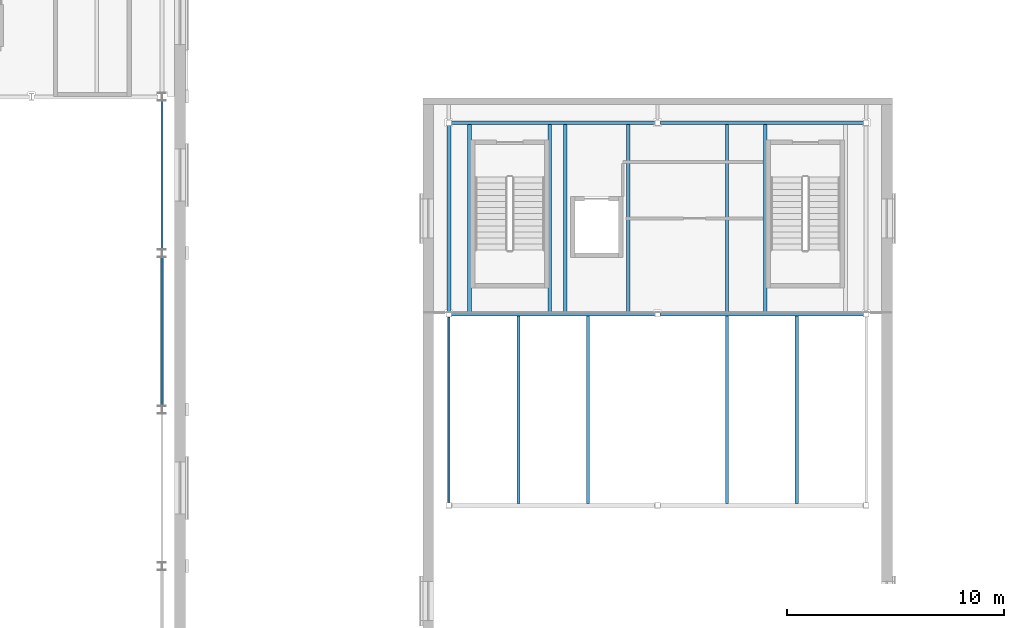
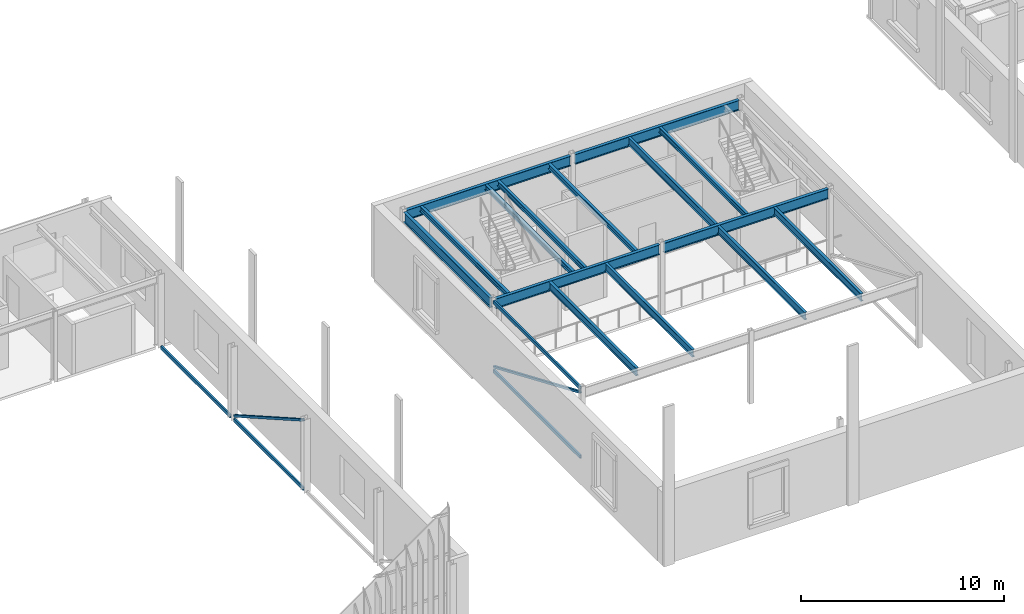
# One storey, part 48 of 169: 19 beams, 2 members.
"""IFC4 building model written with IfcOpenShell, lengths in metres."""

from ifc_helpers import new_model, si_unit, direction, frame, origin, origin_2d, place, context, subcontext, project, spatial, hollow_rectangle, i_section, extrude, material, material_profile, profile_set, type_object, element, save


model = new_model("IFC4")

# Units and contexts
model_context = context("Model", 3, precision=1e-05, world=origin(), true_north=direction((0.0, 1.0)))
body_context = subcontext(model_context, "Body", "Model", "MODEL_VIEW")
ifc_project = project(units=[si_unit("LENGTHUNIT", "METRE"), si_unit("AREAUNIT", "SQUARE_METRE"), si_unit("VOLUMEUNIT", "CUBIC_METRE"), si_unit("PLANEANGLEUNIT", "RADIAN"), si_unit("MASSUNIT", "GRAM", prefix="KILO")], contexts=[model_context])

# Site, building, storey
site_placement = place(None, origin())
site = spatial("IfcSite", under=ifc_project, at=site_placement, CompositionType="ELEMENT")
building_placement = place(site_placement, origin())
building = spatial("IfcBuilding", under=site, at=building_placement, Name="Verrick Yard Athletic Hall", CompositionType="ELEMENT")
storey_placement = place(building_placement, frame((0.0, 0.0, 4.39990234375)))
storey = spatial("IfcBuildingStorey", under=building, at=storey_placement, Name="L01", CompositionType="ELEMENT", Elevation=4.39990234375)

# Beams
ifc_material_1 = material(Name="Structural steel HSS Class C 350W (CSA G40.20/G40.21)", Category="steel")
ifc_material_profile_1 = material_profile(ifc_material_1, hollow_rectangle(XDim=0.1015625, YDim=0.203125, WallThickness=0.009521484375, at=origin_2d()), Name="HSS203x102x9.5")
ifc_profile_set_1 = profile_set([ifc_material_profile_1], Name="Structural steel HSS Class C 350W (CSA G40.20/G40.21)")
beam_type_1 = type_object("IfcBeamType", Name="HB eaves girt HSS203x102x9.5", PredefinedType="BEAM", material=ifc_profile_set_1)
beam_1_placement = place(storey_placement, frame((76.0, 86.577880859375, 0.0), z_axis=(0.0, 1.0, 0.0), x_axis=(-1.0, 0.0, 0.0)))
element("IfcBeam", 1, at=beam_1_placement, inside=storey, type_object=beam_type_1, Name="HB-GT-BE-3-L01", PredefinedType="BEAM", context=body_context, shape_type="SweptSolid", body=[
    extrude(hollow_rectangle(XDim=0.1015625, YDim=0.203125, WallThickness=0.009521484375, at=origin_2d()), origin(), (0.0, 0.0, 1.0), 6.84423828125),
])
beam_2_placement = place(storey_placement, frame((76.0, 93.778076171875, 0.0), z_axis=(0.0, 1.0, 0.0), x_axis=(-1.0, 0.0, 0.0)))
element("IfcBeam", 2, at=beam_2_placement, inside=storey, type_object=beam_type_1, Name="HB-GT-BE-4-L01", PredefinedType="BEAM", context=body_context, shape_type="SweptSolid", body=[
    extrude(hollow_rectangle(XDim=0.1015625, YDim=0.203125, WallThickness=0.009521484375, at=origin_2d()), origin(), (0.0, 0.0, 1.0), 6.843994140625),
])
for number, where, z_axis, x_axis, name in (
    (3, (89.199951171875, 82.126953125, 0.0), (0.0, 1.0, 0.0), (-1.0, 0.0, 0.0), "HB-GT-CW-L01"),
    (4, (89.199951171875, 82.126953125, 4.147216796875), (0.0, 1.0, 0.0), (-1.0, 0.0, 0.0), "HB-GT-CW-L02"),
):
    element("IfcBeam", number, at=place(storey_placement, frame(where, z_axis=z_axis, x_axis=x_axis)), inside=storey, type_object=beam_type_1, Name=name, PredefinedType="BEAM", context=body_context, shape_type="SweptSolid", body=[
        extrude(hollow_rectangle(XDim=0.1015625, YDim=0.203125, WallThickness=0.009521484375, at=origin_2d()), origin(), (0.0, 0.0, 1.0), 8.546142578125),
    ])
ifc_material_2 = material(Name="Structural steel 350W (CSA G40.21)", Category="steel")
ifc_material_profile_2 = material_profile(ifc_material_2, i_section(OverallWidth=0.178955078125, OverallDepth=0.60302734375, WebThickness=0.010986328125, FlangeThickness=0.014892578125, at=origin_2d()), Name="W610x92")
ifc_profile_set_2 = profile_set([ifc_material_profile_2], Name="Structural steel 350W (CSA G40.21)")
beam_type_2 = type_object("IfcBeamType", Name="HB girder W610x92", PredefinedType="BEAM", material=ifc_profile_set_2)
beam_3_placement = place(storey_placement, frame((89.326904296875, 90.800048828125, 3.948486328125), z_axis=(1.0, 0.0, 0.0), x_axis=(0.0, 1.0, 0.0)))
element("IfcBeam", 5, at=beam_3_placement, inside=storey, type_object=beam_type_2, Name="HB-GB-C-L02-S1", PredefinedType="BEAM", context=body_context, shape_type="SweptSolid", body=[
    extrude(i_section(OverallWidth=0.178955078125, OverallDepth=0.60302734375, WebThickness=0.010986328125, FlangeThickness=0.014892578125, at=origin_2d()), origin(), (0.0, 0.0, 1.0), 9.34619140625),
])
beam_4_placement = place(storey_placement, frame((98.927001953125, 90.800048828125, 3.948486328125), z_axis=(1.0, 0.0, 0.0), x_axis=(0.0, 1.0, 0.0)))
element("IfcBeam", 6, at=beam_4_placement, inside=storey, type_object=beam_type_2, Name="HB-GB-C-L02-S2", PredefinedType="BEAM", context=body_context, shape_type="SweptSolid", body=[
    extrude(i_section(OverallWidth=0.178955078125, OverallDepth=0.60302734375, WebThickness=0.010986328125, FlangeThickness=0.014892578125, at=origin_2d()), origin(), (0.0, 0.0, 1.0), 9.345947265625),
])
beam_5_placement = place(storey_placement, frame((89.326904296875, 99.60009765625, 3.948486328125), z_axis=(1.0, 0.0, 0.0), x_axis=(0.0, 1.0, 0.0)))
element("IfcBeam", 7, at=beam_5_placement, inside=storey, type_object=beam_type_2, Name="HB-GB-C-L02-N1", PredefinedType="BEAM", context=body_context, shape_type="SweptSolid", body=[
    extrude(i_section(OverallWidth=0.178955078125, OverallDepth=0.60302734375, WebThickness=0.010986328125, FlangeThickness=0.014892578125, at=origin_2d()), origin(), (0.0, 0.0, 1.0), 9.34619140625),
])
beam_6_placement = place(storey_placement, frame((98.927001953125, 99.60009765625, 3.948486328125), z_axis=(1.0, 0.0, 0.0), x_axis=(0.0, 1.0, 0.0)))
element("IfcBeam", 8, at=beam_6_placement, inside=storey, type_object=beam_type_2, Name="HB-GB-C-L02-N2", PredefinedType="BEAM", context=body_context, shape_type="SweptSolid", body=[
    extrude(i_section(OverallWidth=0.178955078125, OverallDepth=0.60302734375, WebThickness=0.010986328125, FlangeThickness=0.014892578125, at=origin_2d()), origin(), (0.0, 0.0, 1.0), 9.345947265625),
])
beam_7_placement = place(storey_placement, frame((89.199951171875, 90.927001953125, 3.948486328125), z_axis=(0.0, 1.0, 0.0), x_axis=(-1.0, 0.0, 0.0)))
element("IfcBeam", 9, at=beam_7_placement, inside=storey, type_object=beam_type_2, Name="HB-EB-C-L02-W2", PredefinedType="BEAM", context=body_context, shape_type="SweptSolid", body=[
    extrude(i_section(OverallWidth=0.178955078125, OverallDepth=0.60302734375, WebThickness=0.010986328125, FlangeThickness=0.014892578125, at=origin_2d()), origin(), (0.0, 0.0, 1.0), 8.5458984375),
])
ifc_material_profile_3 = material_profile(ifc_material_2, i_section(OverallWidth=0.153076171875, OverallDepth=0.455078125, WebThickness=0.008056640625, FlangeThickness=0.01318359375, at=origin_2d()), Name="W460x60")
ifc_profile_set_3 = profile_set([ifc_material_profile_3], Name="Structural steel 350W (CSA G40.21)")
beam_type_3 = type_object("IfcBeamType", Name="HB secondary beam W460x60", PredefinedType="JOIST", material=ifc_profile_set_3)
for number, where, z_axis, x_axis, name in (
    (10, (92.39990234375, 82.089599609375, 4.022705078125), (0.0, 1.0, 0.0), (-1.0, 0.0, 0.0), "HB-SB-C-L02-1"),
    (11, (95.60009765625, 82.089599609375, 4.022705078125), (0.0, 1.0, 0.0), (-1.0, 0.0, 0.0), "HB-SB-C-L02-2"),
    (12, (102.0, 82.089599609375, 4.022705078125), (0.0, 1.0, 0.0), (-1.0, 0.0, 0.0), "HB-SB-C-L02-3"),
    (13, (105.199951171875, 82.089599609375, 4.022705078125), (0.0, 1.0, 0.0), (-1.0, 0.0, 0.0), "HB-SB-C-L02-4"),
):
    element("IfcBeam", number, at=place(storey_placement, frame(where, z_axis=z_axis, x_axis=x_axis)), inside=storey, type_object=beam_type_3, Name=name, PredefinedType="JOIST", context=body_context, shape_type="SweptSolid", body=[
        extrude(i_section(OverallWidth=0.153076171875, OverallDepth=0.455078125, WebThickness=0.008056640625, FlangeThickness=0.01318359375, at=origin_2d()), origin(), (0.0, 0.0, 1.0), 8.620849609375),
    ])
beam_8_placement = place(storey_placement, frame((102.0, 90.889404296875, 4.022705078125), z_axis=(0.0, 1.0, 0.0), x_axis=(-1.0, 0.0, 0.0)))
element("IfcBeam", 14, at=beam_8_placement, inside=storey, type_object=beam_type_3, Name="HB-SB-C-L02-5", PredefinedType="JOIST", context=body_context, shape_type="SweptSolid", body=[
    extrude(i_section(OverallWidth=0.153076171875, OverallDepth=0.455078125, WebThickness=0.008056640625, FlangeThickness=0.01318359375, at=origin_2d()), origin(), (0.0, 0.0, 1.0), 8.62109375),
])
ifc_material_profile_4 = material_profile(ifc_material_2, i_section(OverallWidth=0.1650390625, OverallDepth=0.31005859375, WebThickness=0.005859375, FlangeThickness=0.009765625, at=origin_2d()), Name="W310x39")
ifc_profile_set_4 = profile_set([ifc_material_profile_4], Name="Structural steel 350W (CSA G40.21)")
beam_type_4 = type_object("IfcBeamType", Name="HB trimmer beam W310x39", PredefinedType="BEAM", material=ifc_profile_set_4)
for number, where, z_axis, x_axis, name in (
    (15, (90.14990234375, 90.889404296875, 4.09521484375), (0.0, 1.0, 0.0), (-1.0, 0.0, 0.0), "HB-TB-C-L02-1a"),
    (16, (93.85009765625, 90.889404296875, 4.09521484375), (0.0, 1.0, 0.0), (-1.0, 0.0, 0.0), "HB-TB-C-L02-1b"),
    (17, (103.75, 90.889404296875, 4.09521484375), (0.0, 1.0, 0.0), (-1.0, 0.0, 0.0), "HB-TB-C-L02-2a"),
    (18, (94.550048828125, 90.889404296875, 4.09521484375), (0.0, 1.0, 0.0), (-1.0, 0.0, 0.0), "HB-TB-C-L02-3a"),
    (19, (97.449951171875, 90.889404296875, 4.09521484375), (0.0, 1.0, 0.0), (-1.0, 0.0, 0.0), "HB-TB-C-L02-3b"),
):
    element("IfcBeam", number, at=place(storey_placement, frame(where, z_axis=z_axis, x_axis=x_axis)), inside=storey, type_object=beam_type_4, Name=name, PredefinedType="BEAM", context=body_context, shape_type="SweptSolid", body=[
        extrude(i_section(OverallWidth=0.1650390625, OverallDepth=0.31005859375, WebThickness=0.005859375, FlangeThickness=0.009765625, at=origin_2d()), origin(), (0.0, 0.0, 1.0), 8.62109375),
    ])

# Members
ifc_material_profile_5 = material_profile(ifc_material_1, hollow_rectangle(XDim=0.126953125, YDim=0.126953125, WallThickness=0.009521484375, at=origin_2d()), Name="HSS127x127x9.5")
ifc_profile_set_5 = profile_set([ifc_material_profile_5], Name="Structural steel HSS Class C 350W (CSA G40.20/G40.21)")
member_type = type_object("IfcMemberType", Name="HB wall brace HSS127x127x9.5", PredefinedType="BRACE", material=ifc_profile_set_5)
member_1_placement = place(storey_placement, frame((76.0, 86.609375, 4.130615234375), z_axis=(0.0, 0.869010302149, -0.494793992241), x_axis=(-1.0, 0.0, 0.0)))
element("IfcMember", 20, at=member_1_placement, inside=storey, type_object=member_type, Name="HB-BRW-BE-3-L01", PredefinedType="BRACE", context=body_context, shape_type="SweptSolid", body=[
    extrude(hollow_rectangle(XDim=0.126953125, YDim=0.126953125, WallThickness=0.009521484375, at=origin_2d()), origin(), (0.0, 0.0, 1.0), 7.803466796875),
])
member_2_placement = place(storey_placement, frame((89.199951171875, 82.15185546875, 3.884765625), z_axis=(0.0, 0.919877619205, -0.392205514605), x_axis=(-1.0, 0.0, 0.0)))
element("IfcMember", 21, at=member_2_placement, inside=storey, type_object=member_type, Name="HB-BRW-CW-L01", PredefinedType="BRACE", context=body_context, shape_type="SweptSolid", body=[
    extrude(hollow_rectangle(XDim=0.126953125, YDim=0.126953125, WallThickness=0.009521484375, at=origin_2d()), origin(), (0.0, 0.0, 1.0), 9.236328125),
])

save(model, "model.ifc")
